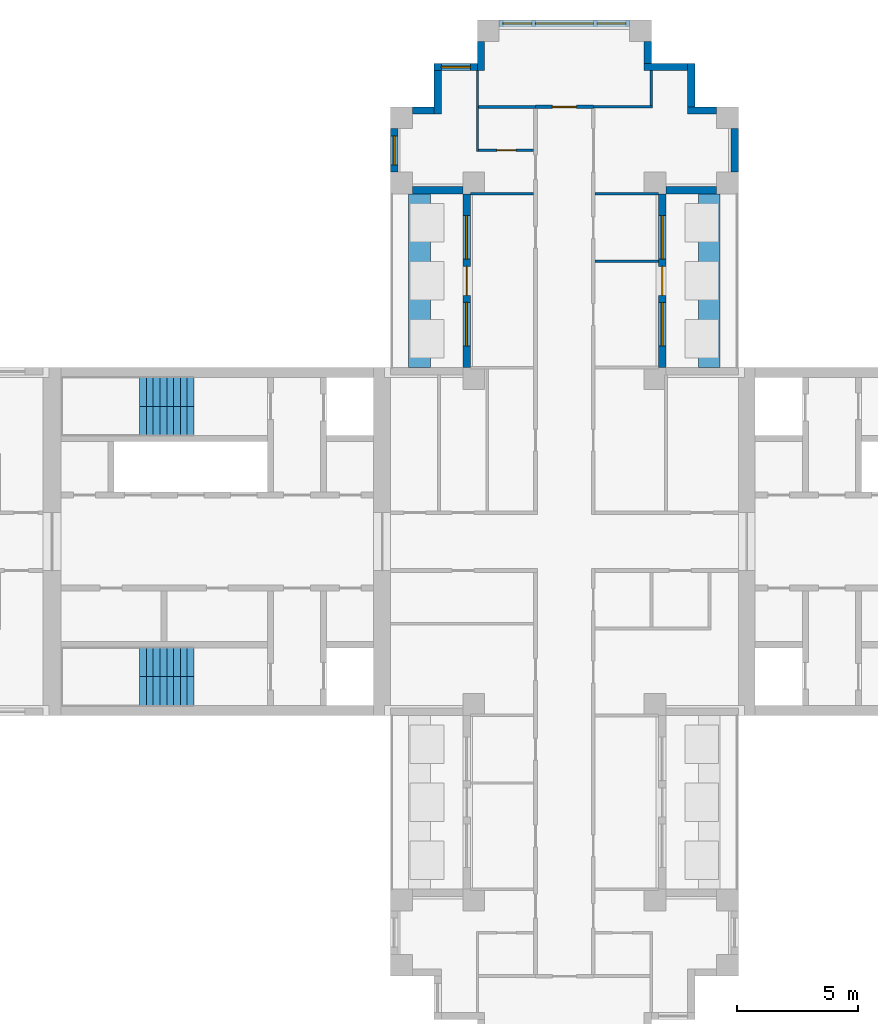
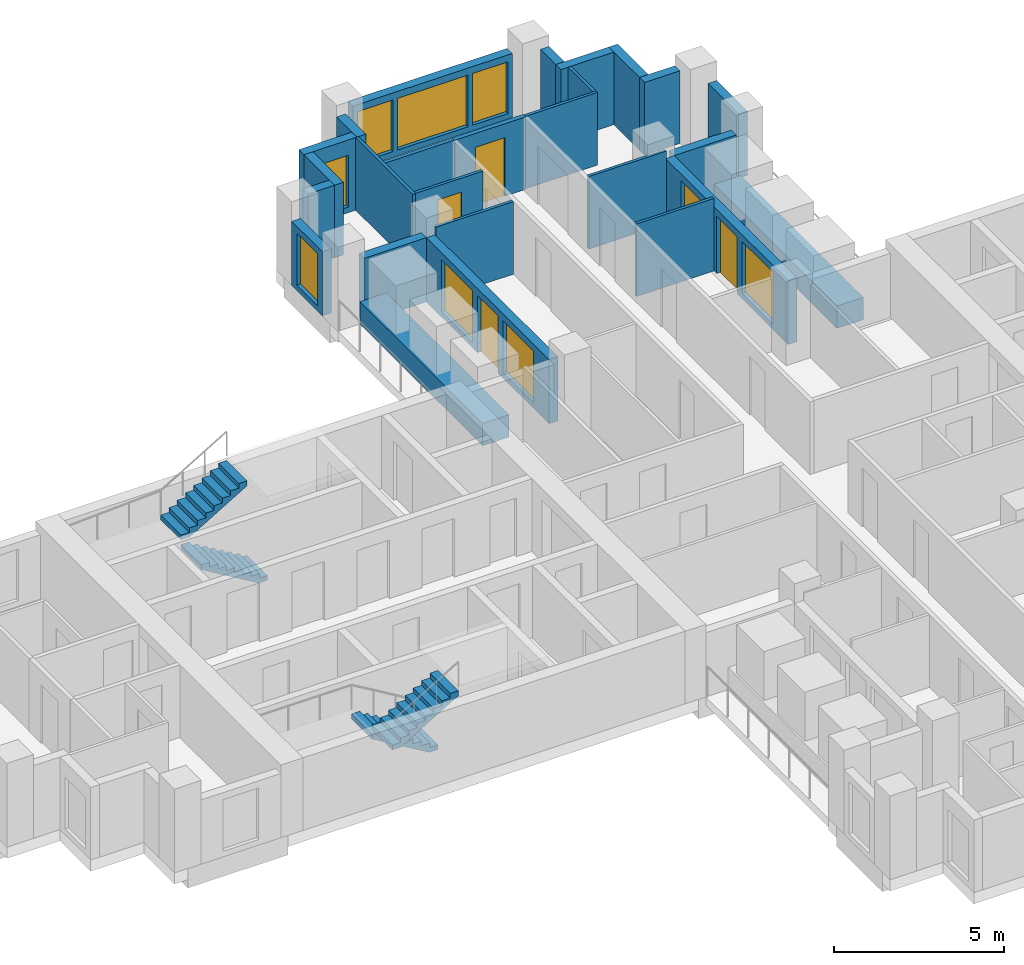
# One storey, part 7 of 10: 26 walls, 9 windows, 4 doors, 4 stair flights, 13 openings, 2 elements without a shape of their own.
"""IFC4 building model written with IfcOpenShell, lengths in metres."""

from ifc_helpers import new_model, si_unit, direction, frame, frame_2d, origin, place, context, subcontext, project, spatial, polyline, rectangle, outline, extrude, material, layer, layer_set, type_object, element, fill, aggregate, save


model = new_model("IFC4")

# Units and contexts
model_context = context("Model", 3, precision=1e-05, world=origin(), true_north=direction((0.0, 1.0)))
body_context = subcontext(model_context, "Body", "Model", "MODEL_VIEW")
ifc_project = project(units=[si_unit("LENGTHUNIT", "METRE"), si_unit("AREAUNIT", "SQUARE_METRE"), si_unit("VOLUMEUNIT", "CUBIC_METRE"), si_unit("PLANEANGLEUNIT", "RADIAN"), si_unit("MASSUNIT", "GRAM", prefix="KILO")], contexts=[model_context])

# Site, building, storey
site_placement = place(None, origin())
site = spatial("IfcSite", under=ifc_project, at=site_placement, CompositionType="ELEMENT")
building_placement = place(site_placement, origin())
building = spatial("IfcBuilding", under=site, at=building_placement, Name="Fustian Cross Tower", CompositionType="ELEMENT")
storey_placement = place(building_placement, frame((0.0, 0.0, 204.89990234375)))
storey = spatial("IfcBuildingStorey", under=building, at=storey_placement, Name="L64", CompositionType="ELEMENT", Elevation=204.89990234375)

# Wall, opening, door
ifc_material_1 = material(Name="Plasterboard on steel stud", Category="steel")
ifc_layer_1 = layer(ifc_material_1, 0.14990234375)
ifc_layer_set_1 = layer_set([ifc_layer_1], Name="Plasterboard on steel stud")
wall_type_1 = type_object("IfcWallType", Name="COMPARTMENT WALL 150 EI 60", PredefinedType="PARTITIONING", material=ifc_layer_set_1)
wall_1_placement = place(storey_placement, frame((-1.199951171875, 18.0, 0.0), z_axis=(0.0, 0.0, 1.0), x_axis=(1.0, 0.0, 0.0)))
wall_1 = element("IfcWall", 1, at=wall_1_placement, inside=storey, type_object=wall_type_1, Name="Partition 29", PredefinedType="PARTITIONING", context=body_context, shape_type="SweptSolid", body=[
    extrude(rectangle(XDim=2.39990234375, YDim=0.14990234375, at=frame_2d((1.199951171875, 0.0))), origin(), (0.0, 0.0, 1.0), 2.60009765625),
])
opening_1_placement = place(wall_1_placement, frame((0.699951171875, 0.0, 0.0)))
opening_1 = element("IfcOpeningElement", 2, at=opening_1_placement, cuts=wall_1, Name="Opening D29014", PredefinedType="OPENING", context=body_context, shape_type="SweptSolid", body=[
    extrude(rectangle(XDim=1.0, YDim=2.10009765625, at=frame_2d((0.5, 1.050048828125))), frame((0.0, 0.0849609375, 0.0), z_axis=(0.0, -1.0, 0.0), x_axis=(1.0, 0.0, 0.0)), (0.0, 0.0, 1.0), 0.169921875),
])
ifc_material_2 = material(Name="Timber fire door set", Category="wood")
door_type_1 = type_object("IfcDoorType", Name="FIRE SWING DOOR 1000 FD30S", OperationType="SINGLE_SWING_LEFT", PredefinedType="DOOR", material=ifc_material_2)
door_1_placement = place(opening_1_placement, origin())
door_1 = element("IfcDoor", 3, at=door_1_placement, inside=storey, type_object=door_type_1, Name="Door D29014", OperationType="SINGLE_SWING_LEFT", OverallHeight=2.10009765625, OverallWidth=1.0, PredefinedType="DOOR", context=body_context, shape_type="SweptSolid", body=[
    extrude(rectangle(XDim=1.0, YDim=2.10009765625, at=frame_2d((0.5, 1.050048828125))), frame((0.0, 0.02490234375, 0.0), z_axis=(0.0, -1.0, 0.0), x_axis=(1.0, 0.0, 0.0)), (0.0, 0.0, 1.0), 0.050048828125),
])
fill(opening_1, door_1)

# Walls
ifc_material_3 = material(Name="Plasterboard on steel stud", Category="steel")
ifc_layer_2 = layer(ifc_material_3, 0.10009765625)
ifc_layer_set_2 = layer_set([ifc_layer_2], Name="Plasterboard on steel stud")
wall_type_2 = type_object("IfcWallType", Name="PARTITION 100 STUD", PredefinedType="PARTITIONING", material=ifc_layer_set_2)
wall_2_placement = place(storey_placement, frame((-3.89990234375, 14.39990234375, 0.0), z_axis=(0.0, 0.0, 1.0), x_axis=(1.0, 0.0, 0.0)))
element("IfcWall", 4, at=wall_2_placement, inside=storey, type_object=wall_type_2, Name="Partition 18", PredefinedType="PARTITIONING", context=body_context, shape_type="SweptSolid", body=[
    extrude(rectangle(XDim=2.625, YDim=0.10009765625, at=frame_2d((1.3125, 0.0))), origin(), (0.0, 0.0, 1.0), 2.60009765625),
])
wall_3_placement = place(storey_placement, frame((-3.60009765625, 16.14990234375, 0.0), z_axis=(0.0, 0.0, 1.0), x_axis=(0.0, 1.0, 0.0)))
element("IfcWall", 5, at=wall_3_placement, inside=storey, type_object=wall_type_2, Name="Partition 22", PredefinedType="PARTITIONING", context=body_context, shape_type="SweptSolid", body=[
    extrude(rectangle(XDim=3.35009765625, YDim=0.10009765625, at=frame_2d((1.675048828125, 0.0))), origin(), (0.0, 0.0, 1.0), 2.60009765625),
])

# Wall, opening, door
wall_4_placement = place(storey_placement, frame((-3.550048828125, 16.199951171875, 0.0), z_axis=(0.0, 0.0, 1.0), x_axis=(1.0, 0.0, 0.0)))
wall_4 = element("IfcWall", 6, at=wall_4_placement, inside=storey, type_object=wall_type_2, Name="Partition 23", PredefinedType="PARTITIONING", context=body_context, shape_type="SweptSolid", body=[
    extrude(rectangle(XDim=2.275146484375, YDim=0.10009765625, at=frame_2d((1.1376953125, 0.0))), origin(), (0.0, 0.0, 1.0), 2.60009765625),
])
opening_2_placement = place(wall_4_placement, frame((0.75, 0.0, 0.0)))
opening_2 = element("IfcOpeningElement", 7, at=opening_2_placement, cuts=wall_4, Name="Opening D29016", PredefinedType="OPENING", context=body_context, shape_type="SweptSolid", body=[
    extrude(rectangle(XDim=0.800048828125, YDim=2.10009765625, at=frame_2d((0.39990234375, 1.050048828125))), frame((0.0, 0.06005859375, 0.0), z_axis=(0.0, -1.0, 0.0), x_axis=(1.0, 0.0, 0.0)), (0.0, 0.0, 1.0), 0.1201171875),
])
ifc_material_4 = material(Name="Painted timber", Category="wood")
door_type_2 = type_object("IfcDoorType", Name="SWING DOOR 800", OperationType="SINGLE_SWING_LEFT", PredefinedType="DOOR", material=ifc_material_4)
door_2_placement = place(opening_2_placement, origin())
door_2 = element("IfcDoor", 8, at=door_2_placement, inside=storey, type_object=door_type_2, Name="Door D29016", OperationType="SINGLE_SWING_LEFT", OverallHeight=2.10009765625, OverallWidth=0.800048828125, PredefinedType="DOOR", context=body_context, shape_type="SweptSolid", body=[
    extrude(rectangle(XDim=0.800048828125, YDim=2.10009765625, at=frame_2d((0.39990234375, 1.050048828125))), frame((0.0, 0.02490234375, 0.0), z_axis=(0.0, -1.0, 0.0), x_axis=(1.0, 0.0, 0.0)), (0.0, 0.0, 1.0), 0.050048828125),
])
fill(opening_2, door_2)

# Walls
for number, where, z_axis, x_axis, name in (
    (9, (1.27490234375, 11.60009765625, 0.0), (0.0, 0.0, 1.0), (1.0, 0.0, 0.0), "Partition 40"),
    (10, (1.27490234375, 14.39990234375, 0.0), (0.0, 0.0, 1.0), (1.0, 0.0, 0.0), "Partition 41"),
):
    element("IfcWall", number, at=place(storey_placement, frame(where, z_axis=z_axis, x_axis=x_axis)), inside=storey, type_object=wall_type_2, Name=name, PredefinedType="PARTITIONING", context=body_context, shape_type="SweptSolid", body=[
        extrude(rectangle(XDim=2.625, YDim=0.10009765625, at=frame_2d((1.3125, 0.0))), origin(), (0.0, 0.0, 1.0), 2.60009765625),
    ])
wall_5_placement = place(storey_placement, frame((1.199951171875, 18.0, 0.0), z_axis=(0.0, 0.0, 1.0), x_axis=(1.0, 0.0, 0.0)))
element("IfcWall", 11, at=wall_5_placement, inside=storey, type_object=wall_type_2, Name="Partition 42", PredefinedType="PARTITIONING", context=body_context, shape_type="SweptSolid", body=[
    extrude(rectangle(XDim=2.449951171875, YDim=0.10009765625, at=frame_2d((1.22509765625, 0.0))), origin(), (0.0, 0.0, 1.0), 2.60009765625),
])
wall_6_placement = place(storey_placement, frame((3.60009765625, 18.050048828125, 0.0), z_axis=(0.0, 0.0, 1.0), x_axis=(0.0, 1.0, 0.0)))
element("IfcWall", 12, at=wall_6_placement, inside=storey, type_object=wall_type_2, Name="Partition 45", PredefinedType="PARTITIONING", context=body_context, shape_type="SweptSolid", body=[
    extrude(rectangle(XDim=1.449951171875, YDim=0.10009765625, at=frame_2d((0.72509765625, 0.0))), origin(), (0.0, 0.0, 1.0), 2.60009765625),
])
ifc_material_5 = material(Name="Concrete C40/50", Category="concrete")
ifc_layer_3 = layer(ifc_material_5, 0.89990234375)
ifc_layer_set_3 = layer_set([ifc_layer_3], Name="Concrete C40/50")
wall_type_3 = type_object("IfcWallType", Name="PK1 PLANTER 900", PredefinedType="PARAPET", material=ifc_layer_set_3)
for number, where, z_axis, x_axis, name in (
    (13, (6.0, 7.199951171875, 0.0), (0.0, 0.0, 1.0), (0.0, 1.0, 0.0), "PLANTER"),
    (14, (-6.0, 7.199951171875, 0.0), (0.0, 0.0, 1.0), (0.0, 1.0, 0.0), "PLANTER"),
):
    element("IfcWall", number, at=place(storey_placement, frame(where, z_axis=z_axis, x_axis=x_axis)), inside=storey, type_object=wall_type_3, Name=name, PredefinedType="PARAPET", context=body_context, shape_type="SweptSolid", body=[
        extrude(rectangle(XDim=7.199951171875, YDim=0.89990234375, at=frame_2d((3.60009765625, 0.0))), origin(), (0.0, 0.0, 1.0), 0.800048828125),
    ])
ifc_material_6 = material(Name="Plasterboard on steel stud", Category="steel")
ifc_layer_4 = layer(ifc_material_6, 0.125)
ifc_layer_set_4 = layer_set([ifc_layer_4], Name="Plasterboard on steel stud")
wall_type_4 = type_object("IfcWallType", Name="WET WALL 125 STUD", PredefinedType="PARTITIONING", material=ifc_layer_set_4)
wall_7_placement = place(storey_placement, frame((-3.550048828125, 18.0, 0.0), z_axis=(0.0, 0.0, 1.0), x_axis=(1.0, 0.0, 0.0)))
element("IfcWall", 15, at=wall_7_placement, inside=storey, type_object=wall_type_4, Name="Partition 24", PredefinedType="PARTITIONING", context=body_context, shape_type="SweptSolid", body=[
    extrude(rectangle(XDim=2.35009765625, YDim=0.125, at=frame_2d((1.175048828125, 0.0))), origin(), (0.0, 0.0, 1.0), 2.60009765625),
])

# Wall, openings, door, windows
ifc_material_7 = material(Name="Dark aluminium cladding on insulated backing wall", Category="aluminium")
ifc_layer_5 = layer(ifc_material_7, 0.300048828125)
ifc_layer_set_5 = layer_set([ifc_layer_5], Name="Dark aluminium cladding on insulated backing wall")
wall_type_5 = type_object("IfcWallType", Name="XW1 EXTERNAL WALL 300", PredefinedType="SOLIDWALL", material=ifc_layer_set_5)
wall_8_placement = place(storey_placement, frame((4.050048828125, 7.199951171875, 0.0), z_axis=(0.0, 0.0, 1.0), x_axis=(0.0, 1.0, 0.0)))
wall_8 = element("IfcWall", 16, at=wall_8_placement, inside=storey, type_object=wall_type_5, Name="External wall", PredefinedType="SOLIDWALL", context=body_context, shape_type="SweptSolid", body=[
    extrude(rectangle(XDim=7.199951171875, YDim=0.300048828125, at=frame_2d((3.60009765625, 0.0))), origin(), (0.0, 0.0, 1.0), 2.300048828125),
])
opening_3_placement = place(wall_8_placement, frame((3.0, 0.0, 0.0)))
opening_3 = element("IfcOpeningElement", 17, at=opening_3_placement, cuts=wall_8, Name="Opening XD1", PredefinedType="OPENING", context=body_context, shape_type="SweptSolid", body=[
    extrude(rectangle(XDim=1.199951171875, YDim=2.050048828125, at=frame_2d((0.60009765625, 1.02490234375))), frame((0.0, 0.159912109375, 0.0), z_axis=(0.0, -1.0, 0.0), x_axis=(1.0, 0.0, 0.0)), (0.0, 0.0, 1.0), 0.320068359375),
])
opening_4_placement = place(wall_8_placement, frame((0.89990234375, 0.0, 0.199951171875)))
opening_4 = element("IfcOpeningElement", 18, at=opening_4_placement, cuts=wall_8, Name="Opening WN2", PredefinedType="OPENING", context=body_context, shape_type="SweptSolid", body=[
    extrude(rectangle(XDim=1.800048828125, YDim=1.85009765625, at=frame_2d((0.89990234375, 0.925048828125))), frame((0.0, 0.159912109375, 0.0), z_axis=(0.0, -1.0, 0.0), x_axis=(1.0, 0.0, 0.0)), (0.0, 0.0, 1.0), 0.320068359375),
])
opening_5_placement = place(wall_8_placement, frame((4.5, 0.0, 0.199951171875)))
opening_5 = element("IfcOpeningElement", 19, at=opening_5_placement, cuts=wall_8, Name="Opening WN2", PredefinedType="OPENING", context=body_context, shape_type="SweptSolid", body=[
    extrude(rectangle(XDim=1.800048828125, YDim=1.85009765625, at=frame_2d((0.89990234375, 0.925048828125))), frame((0.0, 0.159912109375, 0.0), z_axis=(0.0, -1.0, 0.0), x_axis=(1.0, 0.0, 0.0)), (0.0, 0.0, 1.0), 0.320068359375),
])
ifc_material_8 = material(Name="Dark anodised aluminium and double glazing", Category="aluminium")
door_type_3 = type_object("IfcDoorType", Name="ED1 BALCONY DOOR 1200X2050", OperationType="SINGLE_SWING_LEFT", PredefinedType="DOOR", material=ifc_material_8)
door_3_placement = place(opening_3_placement, origin())
door_3 = element("IfcDoor", 20, at=door_3_placement, inside=storey, type_object=door_type_3, Name="Balcony door", OperationType="SINGLE_SWING_LEFT", OverallHeight=2.050048828125, OverallWidth=1.199951171875, PredefinedType="DOOR", context=body_context, shape_type="SweptSolid", body=[
    extrude(rectangle(XDim=1.199951171875, YDim=2.050048828125, at=frame_2d((0.60009765625, 1.02490234375))), frame((0.0, 0.02490234375, 0.0), z_axis=(0.0, -1.0, 0.0), x_axis=(1.0, 0.0, 0.0)), (0.0, 0.0, 1.0), 0.050048828125),
])
fill(opening_3, door_3)
ifc_material_9 = material(Name="Dark anodised aluminium and double glazing", Category="aluminium")
window_type_1 = type_object("IfcWindowType", Name="WN2 WINDOW 1800X1850", PartitioningType="SINGLE_PANEL", PredefinedType="WINDOW", material=ifc_material_9)
window_1_placement = place(opening_4_placement, origin())
window_1 = element("IfcWindow", 21, at=window_1_placement, inside=storey, type_object=window_type_1, Name="Window", OverallHeight=1.85009765625, OverallWidth=1.800048828125, PartitioningType="SINGLE_PANEL", PredefinedType="WINDOW", context=body_context, shape_type="SweptSolid", body=[
    extrude(rectangle(XDim=1.800048828125, YDim=1.85009765625, at=frame_2d((0.89990234375, 0.925048828125))), frame((0.0, 0.030029296875, 0.0), z_axis=(0.0, -1.0, 0.0), x_axis=(1.0, 0.0, 0.0)), (0.0, 0.0, 1.0), 0.06005859375),
])
fill(opening_4, window_1)
window_2_placement = place(opening_5_placement, origin())
window_2 = element("IfcWindow", 22, at=window_2_placement, inside=storey, type_object=window_type_1, Name="Window", OverallHeight=1.85009765625, OverallWidth=1.800048828125, PartitioningType="SINGLE_PANEL", PredefinedType="WINDOW", context=body_context, shape_type="SweptSolid", body=[
    extrude(rectangle(XDim=1.800048828125, YDim=1.85009765625, at=frame_2d((0.89990234375, 0.925048828125))), frame((0.0, 0.030029296875, 0.0), z_axis=(0.0, -1.0, 0.0), x_axis=(1.0, 0.0, 0.0)), (0.0, 0.0, 1.0), 0.06005859375),
])
fill(opening_5, window_2)

# Walls
wall_9_placement = place(storey_placement, frame((4.199951171875, 14.550048828125, 0.0), z_axis=(0.0, 0.0, 1.0), x_axis=(1.0, 0.0, 0.0)))
element("IfcWall", 23, at=wall_9_placement, inside=storey, type_object=wall_type_5, Name="External wall", PredefinedType="SOLIDWALL", context=body_context, shape_type="SweptSolid", body=[
    extrude(rectangle(XDim=2.10009765625, YDim=0.300048828125, at=frame_2d((1.050048828125, 0.0))), origin(), (0.0, 0.0, 1.0), 2.300048828125),
])
wall_10_placement = place(storey_placement, frame((7.050048828125, 15.300048828125, 0.0), z_axis=(0.0, 0.0, 1.0), x_axis=(0.0, 1.0, 0.0)))
element("IfcWall", 24, at=wall_10_placement, inside=storey, type_object=wall_type_5, Name="External wall", PredefinedType="SOLIDWALL", context=body_context, shape_type="SweptSolid", body=[
    extrude(rectangle(XDim=1.800048828125, YDim=0.300048828125, at=frame_2d((0.89990234375, 0.0))), origin(), (0.0, 0.0, 1.0), 2.300048828125),
])
wall_11_placement = place(storey_placement, frame((6.300048828125, 17.85009765625, 0.0), z_axis=(0.0, 0.0, 1.0), x_axis=(-1.0, 0.0, 0.0)))
element("IfcWall", 25, at=wall_11_placement, inside=storey, type_object=wall_type_5, Name="External wall", PredefinedType="SOLIDWALL", context=body_context, shape_type="SweptSolid", body=[
    extrude(rectangle(XDim=1.199951171875, YDim=0.300048828125, at=frame_2d((0.60009765625, 0.0))), origin(), (0.0, 0.0, 1.0), 2.60009765625),
])
for number, where, z_axis, x_axis, name in (
    (26, (5.25, 18.0, 0.0), (0.0, 0.0, 1.0), (0.0, 1.0, 0.0), "External wall"),
    (27, (5.10009765625, 19.64990234375, 0.0), (0.0, 0.0, 1.0), (-1.0, 0.0, 0.0), "External wall"),
):
    element("IfcWall", number, at=place(storey_placement, frame(where, z_axis=z_axis, x_axis=x_axis)), inside=storey, type_object=wall_type_5, Name=name, PredefinedType="SOLIDWALL", context=body_context, shape_type="SweptSolid", body=[
        extrude(rectangle(XDim=1.800048828125, YDim=0.300048828125, at=frame_2d((0.89990234375, 0.0))), origin(), (0.0, 0.0, 1.0), 2.60009765625),
    ])
wall_12_placement = place(storey_placement, frame((3.449951171875, 19.800048828125, 0.0), z_axis=(0.0, 0.0, 1.0), x_axis=(0.0, 1.0, 0.0)))
element("IfcWall", 28, at=wall_12_placement, inside=storey, type_object=wall_type_5, Name="External wall", PredefinedType="SOLIDWALL", context=body_context, shape_type="SweptSolid", body=[
    extrude(rectangle(XDim=0.89990234375, YDim=0.300048828125, at=frame_2d((0.449951171875, 0.0))), origin(), (0.0, 0.0, 1.0), 2.60009765625),
])

# Wall, openings, windows
wall_13_placement = place(storey_placement, frame((2.699951171875, 21.449951171875, 0.0), z_axis=(0.0, 0.0, 1.0), x_axis=(-1.0, 0.0, 0.0)))
wall_13 = element("IfcWall", 29, at=wall_13_placement, inside=storey, type_object=wall_type_5, Name="External wall", PredefinedType="SOLIDWALL", context=body_context, shape_type="SweptSolid", body=[
    extrude(rectangle(XDim=5.39990234375, YDim=0.300048828125, at=frame_2d((2.699951171875, 0.0))), origin(), (0.0, 0.0, 1.0), 2.300048828125),
])
opening_6_placement = place(wall_13_placement, frame((1.5, 0.0, 0.199951171875)))
opening_6 = element("IfcOpeningElement", 30, at=opening_6_placement, cuts=wall_13, Name="Opening WN1", PredefinedType="OPENING", context=body_context, shape_type="SweptSolid", body=[
    extrude(rectangle(XDim=2.39990234375, YDim=1.85009765625, at=frame_2d((1.199951171875, 0.925048828125))), frame((0.0, 0.159912109375, 0.0), z_axis=(0.0, -1.0, 0.0), x_axis=(1.0, 0.0, 0.0)), (0.0, 0.0, 1.0), 0.320068359375),
])
opening_7_placement = place(wall_13_placement, frame((0.14990234375, 0.0, 0.199951171875)))
opening_7 = element("IfcOpeningElement", 31, at=opening_7_placement, cuts=wall_13, Name="Opening WN3", PredefinedType="OPENING", context=body_context, shape_type="SweptSolid", body=[
    extrude(rectangle(XDim=1.199951171875, YDim=1.85009765625, at=frame_2d((0.60009765625, 0.925048828125))), frame((0.0, 0.159912109375, 0.0), z_axis=(0.0, -1.0, 0.0), x_axis=(1.0, 0.0, 0.0)), (0.0, 0.0, 1.0), 0.320068359375),
])
opening_8_placement = place(wall_13_placement, frame((4.050048828125, 0.0, 0.199951171875)))
opening_8 = element("IfcOpeningElement", 32, at=opening_8_placement, cuts=wall_13, Name="Opening WN3", PredefinedType="OPENING", context=body_context, shape_type="SweptSolid", body=[
    extrude(rectangle(XDim=1.199951171875, YDim=1.85009765625, at=frame_2d((0.60009765625, 0.925048828125))), frame((0.0, 0.159912109375, 0.0), z_axis=(0.0, -1.0, 0.0), x_axis=(1.0, 0.0, 0.0)), (0.0, 0.0, 1.0), 0.320068359375),
])
ifc_material_10 = material(Name="Dark anodised aluminium and double glazing", Category="aluminium")
window_type_2 = type_object("IfcWindowType", Name="WN1 WINDOW 2400X1850", PartitioningType="SINGLE_PANEL", PredefinedType="WINDOW", material=ifc_material_10)
window_3_placement = place(opening_6_placement, origin())
window_3 = element("IfcWindow", 33, at=window_3_placement, inside=storey, type_object=window_type_2, Name="Window", OverallHeight=1.85009765625, OverallWidth=2.39990234375, PartitioningType="SINGLE_PANEL", PredefinedType="WINDOW", context=body_context, shape_type="SweptSolid", body=[
    extrude(rectangle(XDim=2.39990234375, YDim=1.85009765625, at=frame_2d((1.199951171875, 0.925048828125))), frame((0.0, 0.030029296875, 0.0), z_axis=(0.0, -1.0, 0.0), x_axis=(1.0, 0.0, 0.0)), (0.0, 0.0, 1.0), 0.06005859375),
])
fill(opening_6, window_3)
ifc_material_11 = material(Name="Dark anodised aluminium and double glazing", Category="aluminium")
window_type_3 = type_object("IfcWindowType", Name="WN3 WINDOW 1200X1850", PartitioningType="SINGLE_PANEL", PredefinedType="WINDOW", material=ifc_material_11)
window_4_placement = place(opening_7_placement, origin())
window_4 = element("IfcWindow", 34, at=window_4_placement, inside=storey, type_object=window_type_3, Name="Window", OverallHeight=1.85009765625, OverallWidth=1.199951171875, PartitioningType="SINGLE_PANEL", PredefinedType="WINDOW", context=body_context, shape_type="SweptSolid", body=[
    extrude(rectangle(XDim=1.199951171875, YDim=1.85009765625, at=frame_2d((0.60009765625, 0.925048828125))), frame((0.0, 0.030029296875, 0.0), z_axis=(0.0, -1.0, 0.0), x_axis=(1.0, 0.0, 0.0)), (0.0, 0.0, 1.0), 0.06005859375),
])
fill(opening_7, window_4)
window_5_placement = place(opening_8_placement, origin())
window_5 = element("IfcWindow", 35, at=window_5_placement, inside=storey, type_object=window_type_3, Name="Window", OverallHeight=1.85009765625, OverallWidth=1.199951171875, PartitioningType="SINGLE_PANEL", PredefinedType="WINDOW", context=body_context, shape_type="SweptSolid", body=[
    extrude(rectangle(XDim=1.199951171875, YDim=1.85009765625, at=frame_2d((0.60009765625, 0.925048828125))), frame((0.0, 0.030029296875, 0.0), z_axis=(0.0, -1.0, 0.0), x_axis=(1.0, 0.0, 0.0)), (0.0, 0.0, 1.0), 0.06005859375),
])
fill(opening_8, window_5)

# Wall
wall_14_placement = place(storey_placement, frame((-3.449951171875, 20.699951171875, 0.0), z_axis=(0.0, 0.0, 1.0), x_axis=(0.0, -1.0, 0.0)))
element("IfcWall", 36, at=wall_14_placement, inside=storey, type_object=wall_type_5, Name="External wall", PredefinedType="SOLIDWALL", context=body_context, shape_type="SweptSolid", body=[
    extrude(rectangle(XDim=1.199951171875, YDim=0.300048828125, at=frame_2d((0.60009765625, 0.0))), origin(), (0.0, 0.0, 1.0), 2.60009765625),
])

# Wall, opening, window
wall_15_placement = place(storey_placement, frame((-3.60009765625, 19.64990234375, 0.0), z_axis=(0.0, 0.0, 1.0), x_axis=(-1.0, 0.0, 0.0)))
wall_15 = element("IfcWall", 37, at=wall_15_placement, inside=storey, type_object=wall_type_5, Name="External wall", PredefinedType="SOLIDWALL", context=body_context, shape_type="SweptSolid", body=[
    extrude(rectangle(XDim=1.7998046875, YDim=0.300048828125, at=frame_2d((0.89990234375, 0.0))), origin(), (0.0, 0.0, 1.0), 2.60009765625),
])
opening_9_placement = place(wall_15_placement, frame((0.300048828125, 0.0, 0.199951171875)))
opening_9 = element("IfcOpeningElement", 38, at=opening_9_placement, cuts=wall_15, Name="Opening WN3", PredefinedType="OPENING", context=body_context, shape_type="SweptSolid", body=[
    extrude(rectangle(XDim=1.199951171875, YDim=1.85009765625, at=frame_2d((0.60009765625, 0.925048828125))), frame((0.0, 0.159912109375, 0.0), z_axis=(0.0, -1.0, 0.0), x_axis=(1.0, 0.0, 0.0)), (0.0, 0.0, 1.0), 0.320068359375),
])
window_6_placement = place(opening_9_placement, origin())
window_6 = element("IfcWindow", 39, at=window_6_placement, inside=storey, type_object=window_type_3, Name="Window", OverallHeight=1.85009765625, OverallWidth=1.199951171875, PartitioningType="SINGLE_PANEL", PredefinedType="WINDOW", context=body_context, shape_type="SweptSolid", body=[
    extrude(rectangle(XDim=1.199951171875, YDim=1.85009765625, at=frame_2d((0.60009765625, 0.925048828125))), frame((0.0, 0.030029296875, 0.0), z_axis=(0.0, -1.0, 0.0), x_axis=(1.0, 0.0, 0.0)), (0.0, 0.0, 1.0), 0.06005859375),
])
fill(opening_9, window_6)

# Walls
wall_16_placement = place(storey_placement, frame((-5.25, 19.5, 0.0), z_axis=(0.0, 0.0, 1.0), x_axis=(0.0, -1.0, 0.0)))
element("IfcWall", 40, at=wall_16_placement, inside=storey, type_object=wall_type_5, Name="External wall", PredefinedType="SOLIDWALL", context=body_context, shape_type="SweptSolid", body=[
    extrude(rectangle(XDim=1.800048828125, YDim=0.300048828125, at=frame_2d((0.89990234375, 0.0))), origin(), (0.0, 0.0, 1.0), 2.60009765625),
])
wall_17_placement = place(storey_placement, frame((-5.39990234375, 17.85009765625, 0.0), z_axis=(0.0, 0.0, 1.0), x_axis=(-1.0, 0.0, 0.0)))
element("IfcWall", 41, at=wall_17_placement, inside=storey, type_object=wall_type_5, Name="External wall", PredefinedType="SOLIDWALL", context=body_context, shape_type="SweptSolid", body=[
    extrude(rectangle(XDim=0.900146484375, YDim=0.300048828125, at=frame_2d((0.4501953125, 0.0))), origin(), (0.0, 0.0, 1.0), 2.60009765625),
])

# Wall, opening, window
wall_18_placement = place(storey_placement, frame((-7.050048828125, 17.10009765625, 0.0), z_axis=(0.0, 0.0, 1.0), x_axis=(0.0, -1.0, 0.0)))
wall_18 = element("IfcWall", 42, at=wall_18_placement, inside=storey, type_object=wall_type_5, Name="External wall", PredefinedType="SOLIDWALL", context=body_context, shape_type="SweptSolid", body=[
    extrude(rectangle(XDim=1.800048828125, YDim=0.300048828125, at=frame_2d((0.89990234375, 0.0))), origin(), (0.0, 0.0, 1.0), 2.300048828125),
])
opening_10_placement = place(wall_18_placement, frame((0.300048828125, 0.0, 0.199951171875)))
opening_10 = element("IfcOpeningElement", 43, at=opening_10_placement, cuts=wall_18, Name="Opening WN3", PredefinedType="OPENING", context=body_context, shape_type="SweptSolid", body=[
    extrude(rectangle(XDim=1.199951171875, YDim=1.85009765625, at=frame_2d((0.60009765625, 0.925048828125))), frame((0.0, 0.159912109375, 0.0), z_axis=(0.0, -1.0, 0.0), x_axis=(1.0, 0.0, 0.0)), (0.0, 0.0, 1.0), 0.320068359375),
])
window_7_placement = place(opening_10_placement, origin())
window_7 = element("IfcWindow", 44, at=window_7_placement, inside=storey, type_object=window_type_3, Name="Window", OverallHeight=1.85009765625, OverallWidth=1.199951171875, PartitioningType="SINGLE_PANEL", PredefinedType="WINDOW", context=body_context, shape_type="SweptSolid", body=[
    extrude(rectangle(XDim=1.199951171875, YDim=1.85009765625, at=frame_2d((0.60009765625, 0.925048828125))), frame((0.0, 0.030029296875, 0.0), z_axis=(0.0, -1.0, 0.0), x_axis=(1.0, 0.0, 0.0)), (0.0, 0.0, 1.0), 0.06005859375),
])
fill(opening_10, window_7)

# Wall
wall_19_placement = place(storey_placement, frame((-6.300048828125, 14.550048828125, 0.0), z_axis=(0.0, 0.0, 1.0), x_axis=(1.0, 0.0, 0.0)))
element("IfcWall", 45, at=wall_19_placement, inside=storey, type_object=wall_type_5, Name="External wall", PredefinedType="SOLIDWALL", context=body_context, shape_type="SweptSolid", body=[
    extrude(rectangle(XDim=2.10009765625, YDim=0.300048828125, at=frame_2d((1.050048828125, 0.0))), origin(), (0.0, 0.0, 1.0), 2.300048828125),
])

# Wall, openings, door, windows
wall_20_placement = place(storey_placement, frame((-4.050048828125, 14.39990234375, 0.0), z_axis=(0.0, 0.0, 1.0), x_axis=(0.0, -1.0, 0.0)))
wall_20 = element("IfcWall", 46, at=wall_20_placement, inside=storey, type_object=wall_type_5, Name="External wall", PredefinedType="SOLIDWALL", context=body_context, shape_type="SweptSolid", body=[
    extrude(rectangle(XDim=7.199951171875, YDim=0.300048828125, at=frame_2d((3.60009765625, 0.0))), origin(), (0.0, 0.0, 1.0), 2.300048828125),
])
opening_11_placement = place(wall_20_placement, frame((3.0, 0.0, 0.0)))
opening_11 = element("IfcOpeningElement", 47, at=opening_11_placement, cuts=wall_20, Name="Opening XD2", PredefinedType="OPENING", context=body_context, shape_type="SweptSolid", body=[
    extrude(rectangle(XDim=1.199951171875, YDim=2.050048828125, at=frame_2d((0.60009765625, 1.02490234375))), frame((0.0, 0.159912109375, 0.0), z_axis=(0.0, -1.0, 0.0), x_axis=(1.0, 0.0, 0.0)), (0.0, 0.0, 1.0), 0.320068359375),
])
opening_12_placement = place(wall_20_placement, frame((0.89990234375, 0.0, 0.199951171875)))
opening_12 = element("IfcOpeningElement", 48, at=opening_12_placement, cuts=wall_20, Name="Opening WN2", PredefinedType="OPENING", context=body_context, shape_type="SweptSolid", body=[
    extrude(rectangle(XDim=1.800048828125, YDim=1.85009765625, at=frame_2d((0.89990234375, 0.925048828125))), frame((0.0, 0.159912109375, 0.0), z_axis=(0.0, -1.0, 0.0), x_axis=(1.0, 0.0, 0.0)), (0.0, 0.0, 1.0), 0.320068359375),
])
opening_13_placement = place(wall_20_placement, frame((4.5, 0.0, 0.199951171875)))
opening_13 = element("IfcOpeningElement", 49, at=opening_13_placement, cuts=wall_20, Name="Opening WN2", PredefinedType="OPENING", context=body_context, shape_type="SweptSolid", body=[
    extrude(rectangle(XDim=1.800048828125, YDim=1.85009765625, at=frame_2d((0.89990234375, 0.925048828125))), frame((0.0, 0.159912109375, 0.0), z_axis=(0.0, -1.0, 0.0), x_axis=(1.0, 0.0, 0.0)), (0.0, 0.0, 1.0), 0.320068359375),
])
door_4_placement = place(opening_11_placement, origin())
door_4 = element("IfcDoor", 50, at=door_4_placement, inside=storey, type_object=door_type_3, Name="Balcony door", OperationType="SINGLE_SWING_LEFT", OverallHeight=2.050048828125, OverallWidth=1.199951171875, PredefinedType="DOOR", context=body_context, shape_type="SweptSolid", body=[
    extrude(rectangle(XDim=1.199951171875, YDim=2.050048828125, at=frame_2d((0.60009765625, 1.02490234375))), frame((0.0, 0.02490234375, 0.0), z_axis=(0.0, -1.0, 0.0), x_axis=(1.0, 0.0, 0.0)), (0.0, 0.0, 1.0), 0.050048828125),
])
fill(opening_11, door_4)
window_8_placement = place(opening_12_placement, origin())
window_8 = element("IfcWindow", 51, at=window_8_placement, inside=storey, type_object=window_type_1, Name="Window", OverallHeight=1.85009765625, OverallWidth=1.800048828125, PartitioningType="SINGLE_PANEL", PredefinedType="WINDOW", context=body_context, shape_type="SweptSolid", body=[
    extrude(rectangle(XDim=1.800048828125, YDim=1.85009765625, at=frame_2d((0.89990234375, 0.925048828125))), frame((0.0, 0.030029296875, 0.0), z_axis=(0.0, -1.0, 0.0), x_axis=(1.0, 0.0, 0.0)), (0.0, 0.0, 1.0), 0.06005859375),
])
fill(opening_12, window_8)
window_9_placement = place(opening_13_placement, origin())
window_9 = element("IfcWindow", 52, at=window_9_placement, inside=storey, type_object=window_type_1, Name="Window", OverallHeight=1.85009765625, OverallWidth=1.800048828125, PartitioningType="SINGLE_PANEL", PredefinedType="WINDOW", context=body_context, shape_type="SweptSolid", body=[
    extrude(rectangle(XDim=1.800048828125, YDim=1.85009765625, at=frame_2d((0.89990234375, 0.925048828125))), frame((0.0, 0.030029296875, 0.0), z_axis=(0.0, -1.0, 0.0), x_axis=(1.0, 0.0, 0.0)), (0.0, 0.0, 1.0), 0.06005859375),
])
fill(opening_13, window_9)

# Stair, stair flights
ifc_material_12 = material(Name="Concrete C50/60", Category="concrete")
stair_type = type_object("IfcStairType", Name="STAIR 1200 HALF TURN", PredefinedType="HALF_TURN_STAIR", material=ifc_material_12)
stair_1_placement = place(storey_placement, origin())
stair_1 = element("IfcStair", 53, at=stair_1_placement, inside=storey, type_object=stair_type, Name="Stair ST3", PredefinedType="HALF_TURN_STAIR")
ifc_material_13 = material(Name="Concrete C50/60", Category="concrete")
stair_flight_type = type_object("IfcStairFlightType", Name="STAIR FLIGHT 1200", PredefinedType="STRAIGHT", material=ifc_material_13)
stair_flight_1_placement = place(storey_placement, frame((-15.35009765625, 5.0, 0.0), z_axis=(0.0, 0.0, 1.0), x_axis=(-1.0, 0.0, 0.0)))
stair_flight_1 = element("IfcStairFlight", 54, at=stair_flight_1_placement, type_object=stair_flight_type, Name="ST3 flight 1", NumberOfRisers=9, NumberOfTreads=8, PredefinedType="STRAIGHT", RiserHeight=0.166666667, TreadLength=0.28, context=body_context, shape_type="SweptSolid", body=[
    extrude(outline(polyline([(0.0, 0.0), (0.0, 0.166748046875), (0.280029296875, 0.166748046875), (0.280029296875, 0.333251953125), (0.56005859375, 0.333251953125), (0.56005859375, 0.5), (0.840087890625, 0.5), (0.840087890625, 0.666748046875), (1.1201171875, 0.666748046875), (1.1201171875, 0.833251953125), (1.39990234375, 0.833251953125), (1.39990234375, 1.0), (1.679931640625, 1.0), (1.679931640625, 1.166748046875), (1.9599609375, 1.166748046875), (1.9599609375, 1.333251953125), (2.239990234375, 1.333251953125), (2.239990234375, 1.5), (2.239990234375, 1.158935546875), (0.29296875, 0.0), (0.0, 0.0)])), frame((0.0, 0.60009765625, 0.0), z_axis=(0.0, -1.0, 0.0), x_axis=(1.0, 0.0, 0.0)), (0.0, 0.0, 1.0), 1.199951171875),
])
stair_flight_2_placement = place(storey_placement, frame((-17.590087890625, 6.199951171875, 1.5), z_axis=(0.0, 0.0, 1.0), x_axis=(1.0, 0.0, 0.0)))
stair_flight_2 = element("IfcStairFlight", 55, at=stair_flight_2_placement, type_object=stair_flight_type, Name="ST3 flight 2", NumberOfRisers=9, NumberOfTreads=8, PredefinedType="STRAIGHT", RiserHeight=0.166666667, TreadLength=0.28, context=body_context, shape_type="SweptSolid", body=[
    extrude(outline(polyline([(0.0, 0.0), (0.0, 0.166748046875), (0.280029296875, 0.166748046875), (0.280029296875, 0.333251953125), (0.56005859375, 0.333251953125), (0.56005859375, 0.5), (0.840087890625, 0.5), (0.840087890625, 0.666748046875), (1.1201171875, 0.666748046875), (1.1201171875, 0.833251953125), (1.39990234375, 0.833251953125), (1.39990234375, 1.0), (1.679931640625, 1.0), (1.679931640625, 1.166748046875), (1.9599609375, 1.166748046875), (1.9599609375, 1.333251953125), (2.239990234375, 1.333251953125), (2.239990234375, 1.5), (2.239990234375, 1.158935546875), (0.29296875, 0.0), (0.0, 0.0)])), frame((0.0, 0.60009765625, 0.0), z_axis=(0.0, -1.0, 0.0), x_axis=(1.0, 0.0, 0.0)), (0.0, 0.0, 1.0), 1.199951171875),
])
aggregate(stair_1, [stair_flight_1, stair_flight_2])

stair_2_placement = place(storey_placement, origin())
stair_2 = element("IfcStair", 56, at=stair_2_placement, inside=storey, type_object=stair_type, Name="Stair ST4", PredefinedType="HALF_TURN_STAIR")
stair_flight_3_placement = place(storey_placement, frame((-15.35009765625, -5.0, 0.0), z_axis=(0.0, 0.0, 1.0), x_axis=(-1.0, 0.0, 0.0)))
stair_flight_3 = element("IfcStairFlight", 57, at=stair_flight_3_placement, type_object=stair_flight_type, Name="ST4 flight 1", NumberOfRisers=9, NumberOfTreads=8, PredefinedType="STRAIGHT", RiserHeight=0.166666667, TreadLength=0.28, context=body_context, shape_type="SweptSolid", body=[
    extrude(outline(polyline([(0.0, 0.0), (0.0, 0.166748046875), (0.280029296875, 0.166748046875), (0.280029296875, 0.333251953125), (0.56005859375, 0.333251953125), (0.56005859375, 0.5), (0.840087890625, 0.5), (0.840087890625, 0.666748046875), (1.1201171875, 0.666748046875), (1.1201171875, 0.833251953125), (1.39990234375, 0.833251953125), (1.39990234375, 1.0), (1.679931640625, 1.0), (1.679931640625, 1.166748046875), (1.9599609375, 1.166748046875), (1.9599609375, 1.333251953125), (2.239990234375, 1.333251953125), (2.239990234375, 1.5), (2.239990234375, 1.158935546875), (0.29296875, 0.0), (0.0, 0.0)])), frame((0.0, 0.60009765625, 0.0), z_axis=(0.0, -1.0, 0.0), x_axis=(1.0, 0.0, 0.0)), (0.0, 0.0, 1.0), 1.199951171875),
])
stair_flight_4_placement = place(storey_placement, frame((-17.590087890625, -6.199951171875, 1.5), z_axis=(0.0, 0.0, 1.0), x_axis=(1.0, 0.0, 0.0)))
stair_flight_4 = element("IfcStairFlight", 58, at=stair_flight_4_placement, type_object=stair_flight_type, Name="ST4 flight 2", NumberOfRisers=9, NumberOfTreads=8, PredefinedType="STRAIGHT", RiserHeight=0.166666667, TreadLength=0.28, context=body_context, shape_type="SweptSolid", body=[
    extrude(outline(polyline([(0.0, 0.0), (0.0, 0.166748046875), (0.280029296875, 0.166748046875), (0.280029296875, 0.333251953125), (0.56005859375, 0.333251953125), (0.56005859375, 0.5), (0.840087890625, 0.5), (0.840087890625, 0.666748046875), (1.1201171875, 0.666748046875), (1.1201171875, 0.833251953125), (1.39990234375, 0.833251953125), (1.39990234375, 1.0), (1.679931640625, 1.0), (1.679931640625, 1.166748046875), (1.9599609375, 1.166748046875), (1.9599609375, 1.333251953125), (2.239990234375, 1.333251953125), (2.239990234375, 1.5), (2.239990234375, 1.158935546875), (0.29296875, 0.0), (0.0, 0.0)])), frame((0.0, 0.60009765625, 0.0), z_axis=(0.0, -1.0, 0.0), x_axis=(1.0, 0.0, 0.0)), (0.0, 0.0, 1.0), 1.199951171875),
])
aggregate(stair_2, [stair_flight_3, stair_flight_4])

save(model, "model.ifc")
